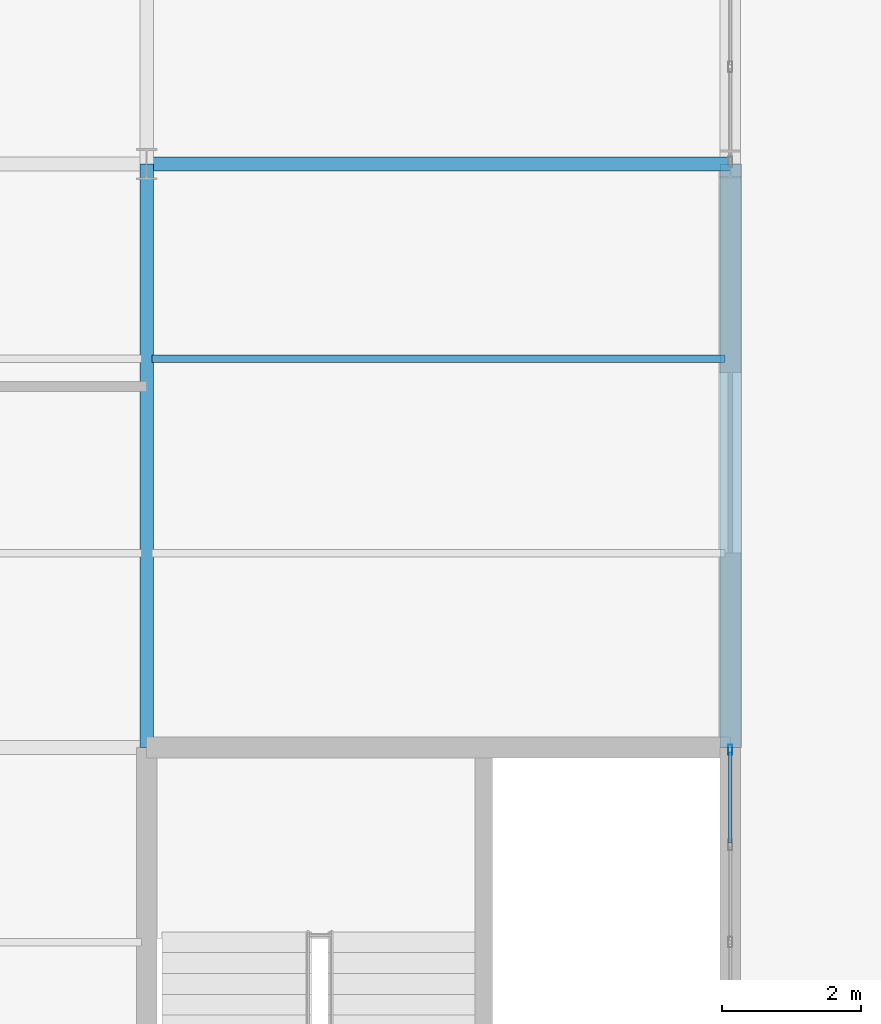
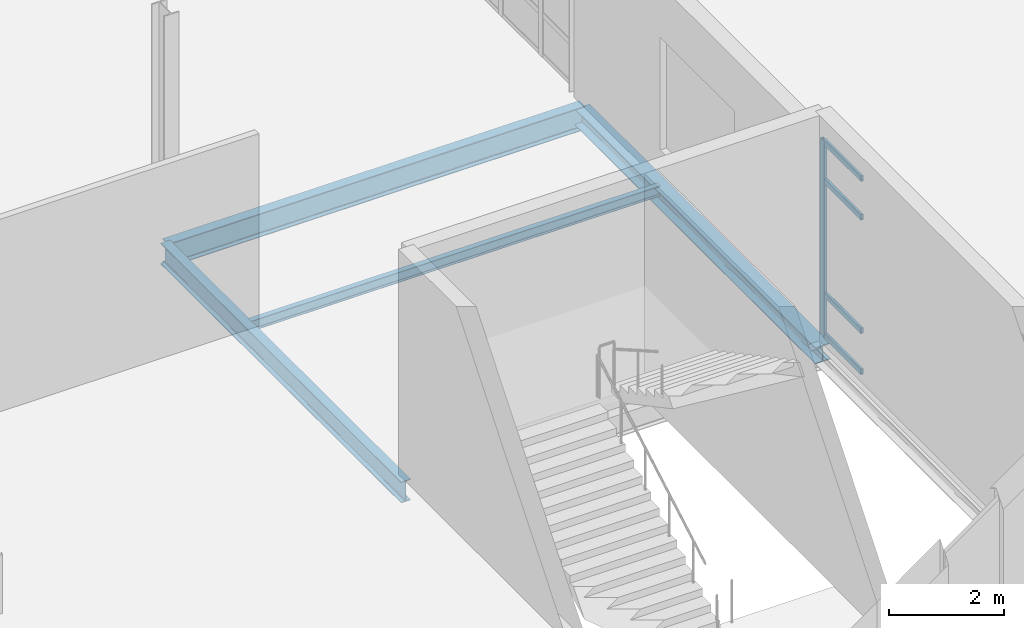
# One storey, part 13 of 28: 5 members, 4 beams, 1 element without a shape of its own.
"""IFC4 building model written with IfcOpenShell, lengths in metres."""

from ifc_helpers import new_model, si_unit, direction, frame, origin, origin_2d, place, context, subcontext, project, spatial, hollow_rectangle, i_section, extrude, material, layer, layer_set, material_profile, profile_set, type_object, element, aggregate, save


model = new_model("IFC4")

# Units and contexts
model_context = context("Model", 3, precision=1e-05, world=origin(), true_north=direction((0.0, 1.0)))
body_context = subcontext(model_context, "Body", "Model", "MODEL_VIEW")
ifc_project = project(units=[si_unit("LENGTHUNIT", "METRE"), si_unit("AREAUNIT", "SQUARE_METRE"), si_unit("VOLUMEUNIT", "CUBIC_METRE"), si_unit("PLANEANGLEUNIT", "RADIAN"), si_unit("MASSUNIT", "GRAM", prefix="KILO")], contexts=[model_context])

# Site, building, storey
site_placement = place(None, origin())
site = spatial("IfcSite", under=ifc_project, at=site_placement, CompositionType="ELEMENT")
building_placement = place(site_placement, origin())
building = spatial("IfcBuilding", under=site, at=building_placement, Name="Qalvenar Corner Mobility Hub", CompositionType="ELEMENT")
storey_placement = place(building_placement, frame((0.0, 0.0, 21.60009765625)))
storey = spatial("IfcBuildingStorey", under=building, at=storey_placement, Name="L05", CompositionType="ELEMENT", Elevation=21.60009765625)

# Beams
ifc_material_1 = material(Name="Steel S355", Category="steel")
ifc_material_profile_1 = material_profile(ifc_material_1, i_section(OverallWidth=0.18994140625, OverallDepth=0.449951171875, WebThickness=0.009521484375, FlangeThickness=0.0146484375, FilletRadius=0.02099609375, at=origin_2d()), Name="IPE450")
ifc_profile_set_1 = profile_set([ifc_material_profile_1], Name="Steel S355")
beam_type_1 = type_object("IfcBeamType", Name="BM-IPE450", PredefinedType="BEAM", material=ifc_profile_set_1)
beam_1_placement = place(storey_placement, frame((33.60009765625, 16.800048828125, -0.405029296875), z_axis=(0.0, 1.0, 0.0), x_axis=(-1.0, 0.0, 0.0)))
element("IfcBeam", 1, at=beam_1_placement, inside=storey, type_object=beam_type_1, Name="Primary Steel Girder GY-2997", PredefinedType="BEAM", context=body_context, shape_type="SweptSolid", body=[
    extrude(i_section(OverallWidth=0.18994140625, OverallDepth=0.449951171875, WebThickness=0.009521484375, FlangeThickness=0.0146484375, FilletRadius=0.02099609375, at=origin_2d()), origin(), (0.0, 0.0, 1.0), 8.39990234375),
])
ifc_material_profile_2 = material_profile(ifc_material_1, i_section(OverallWidth=0.199951171875, OverallDepth=0.5, WebThickness=0.01025390625, FlangeThickness=0.01611328125, FilletRadius=0.02099609375, at=origin_2d()), Name="IPE500")
ifc_profile_set_2 = profile_set([ifc_material_profile_2], Name="Steel S355")
beam_type_2 = type_object("IfcBeamType", Name="BM-IPE500", PredefinedType="BEAM", material=ifc_profile_set_2)
beam_2_placement = place(storey_placement, frame((33.60009765625, 25.199951171875, -0.43017578125), z_axis=(1.0, 0.0, 0.0), x_axis=(0.0, 1.0, 0.0)))
element("IfcBeam", 2, at=beam_2_placement, inside=storey, type_object=beam_type_2, Name="Primary Steel Girder GX-2964", PredefinedType="BEAM", context=body_context, shape_type="SweptSolid", body=[
    extrude(i_section(OverallWidth=0.199951171875, OverallDepth=0.5, WebThickness=0.01025390625, FlangeThickness=0.01611328125, FilletRadius=0.02099609375, at=origin_2d()), origin(), (0.0, 0.0, 1.0), 8.39990234375),
])
ifc_material_profile_3 = material_profile(ifc_material_1, i_section(OverallWidth=0.110107421875, OverallDepth=0.219970703125, WebThickness=0.005859375, FlangeThickness=0.00927734375, FilletRadius=0.011962890625, at=origin_2d()), Name="IPE220")
ifc_profile_set_3 = profile_set([ifc_material_profile_3], Name="Steel S355")
beam_type_3 = type_object("IfcBeamType", Name="BM-JST220", PredefinedType="JOIST", material=ifc_profile_set_3)
beam_3_placement = place(storey_placement, frame((33.677978515625, 22.39990234375, -0.2900390625), z_axis=(1.0, 0.0, 0.0), x_axis=(0.0, 1.0, 0.0)))
element("IfcBeam", 3, at=beam_3_placement, inside=storey, type_object=beam_type_3, Name="Composite Floor Joist J-3047", PredefinedType="JOIST", context=body_context, shape_type="SweptSolid", body=[
    extrude(i_section(OverallWidth=0.110107421875, OverallDepth=0.219970703125, WebThickness=0.005859375, FlangeThickness=0.00927734375, FilletRadius=0.011962890625, at=origin_2d()), origin(), (0.0, 0.0, 1.0), 8.244140625),
])
ifc_material_profile_4 = material_profile(ifc_material_1, i_section(OverallWidth=0.300048828125, OverallDepth=0.35009765625, WebThickness=0.010009765625, FlangeThickness=0.017578125, FilletRadius=0.027099609375, at=origin_2d()), Name="HEA360")
ifc_profile_set_4 = profile_set([ifc_material_profile_4], Name="Steel S355")
beam_type_4 = type_object("IfcBeamType", Name="BM-SPN360", PredefinedType="SPANDREL", material=ifc_profile_set_4)
beam_4_placement = place(storey_placement, frame((42.0, 16.800048828125, -0.4169921875), z_axis=(0.0, 1.0, 0.0), x_axis=(-1.0, 0.0, 0.0)))
element("IfcBeam", 4, at=beam_4_placement, inside=storey, type_object=beam_type_4, Name="Primary Steel Girder GY-3002", PredefinedType="SPANDREL", context=body_context, shape_type="SweptSolid", body=[
    extrude(i_section(OverallWidth=0.300048828125, OverallDepth=0.35009765625, WebThickness=0.010009765625, FlangeThickness=0.017578125, FilletRadius=0.027099609375, at=origin_2d()), origin(), (0.0, 0.0, 1.0), 8.39990234375),
])

# Curtain wall, members
ifc_material_2 = material(Name="Anodised Aluminium and Low-E Glazing", Category="aluminium")
ifc_layer = layer(ifc_material_2, 0.14990234375)
ifc_layer_set = layer_set([ifc_layer], Name="Anodised Aluminium and Low-E Glazing")
curtain_wall_type = type_object("IfcCurtainWallType", Name="CW-SPT-84X44", PredefinedType="NOTDEFINED", material=ifc_layer_set)
curtain_wall_placement = place(storey_placement, origin())
curtain_wall = element("IfcCurtainWall", 5, at=curtain_wall_placement, inside=storey, type_object=curtain_wall_type, Name="Glazed Curtain Wall CW-V3-L05-E1", PredefinedType="NOTDEFINED")
ifc_material_3 = material(Name="Anodised Aluminium 6063-T6", Category="aluminium")
ifc_material_profile_5 = material_profile(ifc_material_3, hollow_rectangle(XDim=0.06005859375, YDim=0.14990234375, WallThickness=0.00390625, InnerFilletRadius=0.00390625, OuterFilletRadius=0.008056640625, at=origin_2d()), Name="RHS150x60x4")
ifc_profile_set_5 = profile_set([ifc_material_profile_5], Name="Anodised Aluminium 6063-T6")
member_type_1 = type_object("IfcMemberType", Name="CW-MUL150", PredefinedType="MULLION", material=ifc_profile_set_5)
member_1_placement = place(storey_placement, frame((42.0, 16.77001953125, 0.0), z_axis=(0.0, 0.0, 1.0), x_axis=(-1.0, 0.0, 0.0)))
member_1 = element("IfcMember", 6, at=member_1_placement, type_object=member_type_1, Name="CW-06 mullion 7", PredefinedType="MULLION", context=body_context, shape_type="SweptSolid", body=[
    extrude(hollow_rectangle(XDim=0.06005859375, YDim=0.14990234375, WallThickness=0.00390625, InnerFilletRadius=0.00390625, OuterFilletRadius=0.008056640625, at=origin_2d()), origin(), (0.0, 0.0, 1.0), 4.169921875),
])
ifc_material_profile_6 = material_profile(ifc_material_3, hollow_rectangle(XDim=0.054931640625, YDim=0.1201171875, WallThickness=0.00341796875, InnerFilletRadius=0.00341796875, OuterFilletRadius=0.007080078125, at=origin_2d()), Name="RHS120x55x3.5")
ifc_profile_set_6 = profile_set([ifc_material_profile_6], Name="Anodised Aluminium 6063-T6")
member_type_2 = type_object("IfcMemberType", Name="CW-TRN120", PredefinedType="USERDEFINED", material=ifc_profile_set_6)
member_2_placement = place(storey_placement, frame((42.0, 15.429931640625, 0.02734375), z_axis=(0.0, 1.0, 0.0), x_axis=(-1.0, 0.0, 0.0)))
member_2 = element("IfcMember", 7, at=member_2_placement, type_object=member_type_2, Name="CW-06 transom 6.1", ObjectType="TRANSOM", PredefinedType="USERDEFINED", context=body_context, shape_type="SweptSolid", body=[
    extrude(hollow_rectangle(XDim=0.054931640625, YDim=0.1201171875, WallThickness=0.00341796875, InnerFilletRadius=0.00341796875, OuterFilletRadius=0.007080078125, at=origin_2d()), origin(), (0.0, 0.0, 1.0), 1.31005859375),
])
member_3_placement = place(storey_placement, frame((42.0, 15.429931640625, 0.89990234375), z_axis=(0.0, 1.0, 0.0), x_axis=(-1.0, 0.0, 0.0)))
member_3 = element("IfcMember", 8, at=member_3_placement, type_object=member_type_2, Name="CW-06 transom 6.2", ObjectType="TRANSOM", PredefinedType="USERDEFINED", context=body_context, shape_type="SweptSolid", body=[
    extrude(hollow_rectangle(XDim=0.054931640625, YDim=0.1201171875, WallThickness=0.00341796875, InnerFilletRadius=0.00341796875, OuterFilletRadius=0.007080078125, at=origin_2d()), origin(), (0.0, 0.0, 1.0), 1.31005859375),
])
member_4_placement = place(storey_placement, frame((42.0, 15.429931640625, 3.31982421875), z_axis=(0.0, 1.0, 0.0), x_axis=(-1.0, 0.0, 0.0)))
member_4 = element("IfcMember", 9, at=member_4_placement, type_object=member_type_2, Name="CW-06 transom 6.3", ObjectType="TRANSOM", PredefinedType="USERDEFINED", context=body_context, shape_type="SweptSolid", body=[
    extrude(hollow_rectangle(XDim=0.054931640625, YDim=0.1201171875, WallThickness=0.00341796875, InnerFilletRadius=0.00341796875, OuterFilletRadius=0.007080078125, at=origin_2d()), origin(), (0.0, 0.0, 1.0), 1.31005859375),
])
member_5_placement = place(storey_placement, frame((42.0, 15.429931640625, 4.142333984375), z_axis=(0.0, 1.0, 0.0), x_axis=(-1.0, 0.0, 0.0)))
member_5 = element("IfcMember", 10, at=member_5_placement, type_object=member_type_2, Name="CW-06 transom 6.4", ObjectType="TRANSOM", PredefinedType="USERDEFINED", context=body_context, shape_type="SweptSolid", body=[
    extrude(hollow_rectangle(XDim=0.054931640625, YDim=0.1201171875, WallThickness=0.00341796875, InnerFilletRadius=0.00341796875, OuterFilletRadius=0.007080078125, at=origin_2d()), origin(), (0.0, 0.0, 1.0), 1.31005859375),
])
aggregate(curtain_wall, [member_1, member_2, member_3, member_4, member_5])

save(model, "model.ifc")
